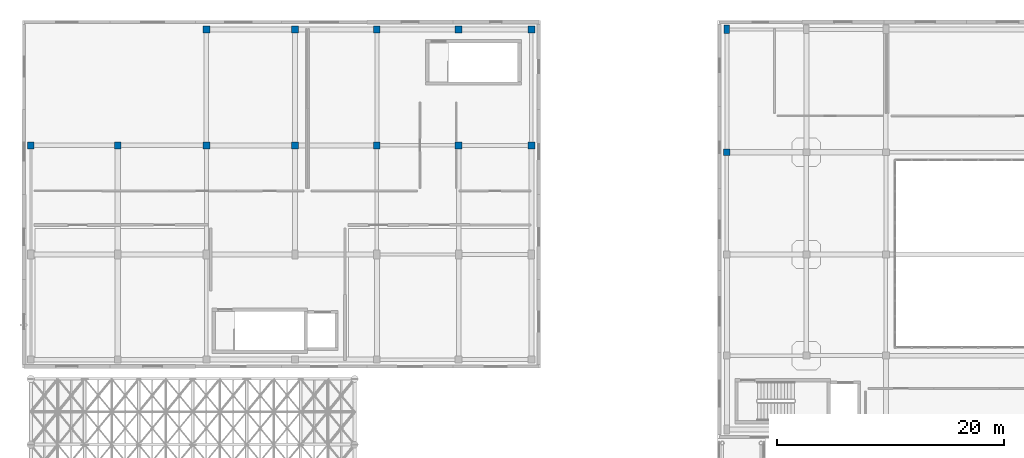
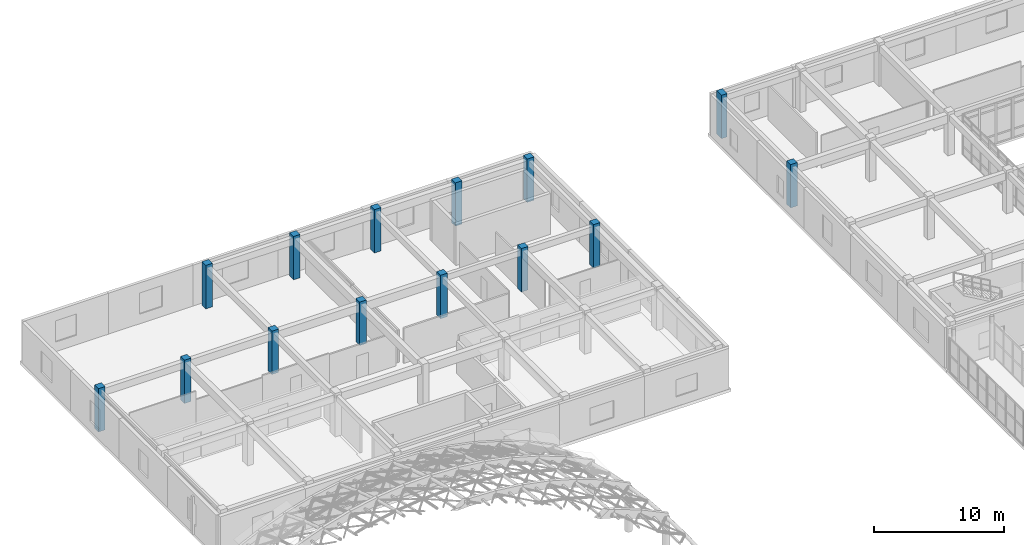
# One storey, part 11 of 146: 14 columns.
"""IFC4 building model written with IfcOpenShell, lengths in metres."""

from ifc_helpers import new_model, si_unit, direction, frame, origin, origin_2d, place, context, subcontext, project, spatial, rectangle, extrude, material, material_profile, profile_set, type_object, element, save


model = new_model("IFC4")

# Units and contexts
model_context = context("Model", 3, precision=1e-05, world=origin(), true_north=direction((0.0, 1.0)))
body_context = subcontext(model_context, "Body", "Model", "MODEL_VIEW")
ifc_project = project(units=[si_unit("LENGTHUNIT", "METRE"), si_unit("AREAUNIT", "SQUARE_METRE"), si_unit("VOLUMEUNIT", "CUBIC_METRE"), si_unit("PLANEANGLEUNIT", "RADIAN"), si_unit("MASSUNIT", "GRAM", prefix="KILO")], contexts=[model_context])

# Site, building, storey
site_placement = place(None, origin())
site = spatial("IfcSite", under=ifc_project, at=site_placement, CompositionType="ELEMENT")
building_placement = place(site_placement, origin())
building = spatial("IfcBuilding", under=site, at=building_placement, Name="Valcora Specialist Clinic", CompositionType="ELEMENT")
storey_placement = place(building_placement, frame((0.0, 0.0, 9.52001953125)))
storey = spatial("IfcBuildingStorey", under=building, at=storey_placement, Name="L02", CompositionType="ELEMENT", Elevation=9.52001953125)

# Columns
ifc_material = material(Name="Concrete C40/50", Category="concrete")
ifc_material_profile_1 = material_profile(ifc_material, rectangle(XDim=0.5, YDim=0.75, at=origin_2d()), Name="RC-COL-500X750")
ifc_profile_set_1 = profile_set([ifc_material_profile_1], Name="Concrete C40/50")
column_type_1 = type_object("IfcColumnType", Name="TY-COL-RC500X750", PredefinedType="COLUMN", material=ifc_profile_set_1)
column_placement = place(storey_placement, frame((62.0, 110.0, 0.0), z_axis=(0.0, 0.0, 1.0), x_axis=(1.0, 0.0, 0.0)))
element("IfcColumn", 1, at=column_placement, inside=storey, type_object=column_type_1, Name="Column COL-L02-0324", PredefinedType="COLUMN", context=body_context, shape_type="SweptSolid", body=[
    extrude(rectangle(XDim=0.5, YDim=0.75, at=origin_2d()), origin(), (0.0, 0.0, 1.0), 4.080078125),
])
ifc_material_profile_2 = material_profile(ifc_material, rectangle(XDim=0.60009765625, YDim=0.60009765625, at=origin_2d()), Name="RC-COL-600X600")
ifc_profile_set_2 = profile_set([ifc_material_profile_2], Name="Concrete C40/50")
column_type_2 = type_object("IfcColumnType", Name="TY-COL-RC600", PredefinedType="COLUMN", material=ifc_profile_set_2)
for number, where, z_axis, x_axis, name in (
    (2, (0.75, 99.800048828125, 0.0), (0.0, 0.0, 1.0), (1.0, 0.0, 0.0), "Column COL-L02-0144"),
    (3, (8.39990234375, 99.800048828125, 0.0), (0.0, 0.0, 1.0), (1.0, 0.0, 0.0), "Column COL-L02-0156"),
    (4, (16.199951171875, 99.800048828125, 0.0), (0.0, 0.0, 1.0), (1.0, 0.0, 0.0), "Column COL-L02-0168"),
    (5, (16.199951171875, 110.0, 0.0), (0.0, 0.0, 1.0), (1.0, 0.0, 0.0), "Column COL-L02-0172"),
    (6, (24.0, 99.800048828125, 0.0), (0.0, 0.0, 1.0), (1.0, 0.0, 0.0), "Column COL-L02-0184"),
    (7, (24.0, 110.0, 0.0), (0.0, 0.0, 1.0), (1.0, 0.0, 0.0), "Column COL-L02-0188"),
    (8, (31.199951171875, 99.800048828125, 0.0), (0.0, 0.0, 1.0), (1.0, 0.0, 0.0), "Column COL-L02-0200"),
    (9, (31.199951171875, 110.0, 0.0), (0.0, 0.0, 1.0), (1.0, 0.0, 0.0), "Column COL-L02-0204"),
    (10, (38.39990234375, 99.800048828125, 0.0), (0.0, 0.0, 1.0), (1.0, 0.0, 0.0), "Column COL-L02-0216"),
    (11, (38.39990234375, 110.0, 0.0), (0.0, 0.0, 1.0), (1.0, 0.0, 0.0), "Column COL-L02-0220"),
    (12, (44.800048828125, 99.800048828125, 0.0), (0.0, 0.0, 1.0), (1.0, 0.0, 0.0), "Column COL-L02-0232"),
    (13, (44.800048828125, 110.0, 0.0), (0.0, 0.0, 1.0), (1.0, 0.0, 0.0), "Column COL-L02-0236"),
    (14, (62.0, 99.199951171875, 0.0), (0.0, 0.0, 1.0), (1.0, 0.0, 0.0), "Column COL-L02-0319"),
):
    element("IfcColumn", number, at=place(storey_placement, frame(where, z_axis=z_axis, x_axis=x_axis)), inside=storey, type_object=column_type_2, Name=name, PredefinedType="COLUMN", context=body_context, shape_type="SweptSolid", body=[
        extrude(rectangle(XDim=0.60009765625, YDim=0.60009765625, at=origin_2d()), origin(), (0.0, 0.0, 1.0), 4.080078125),
    ])

save(model, "model.ifc")
